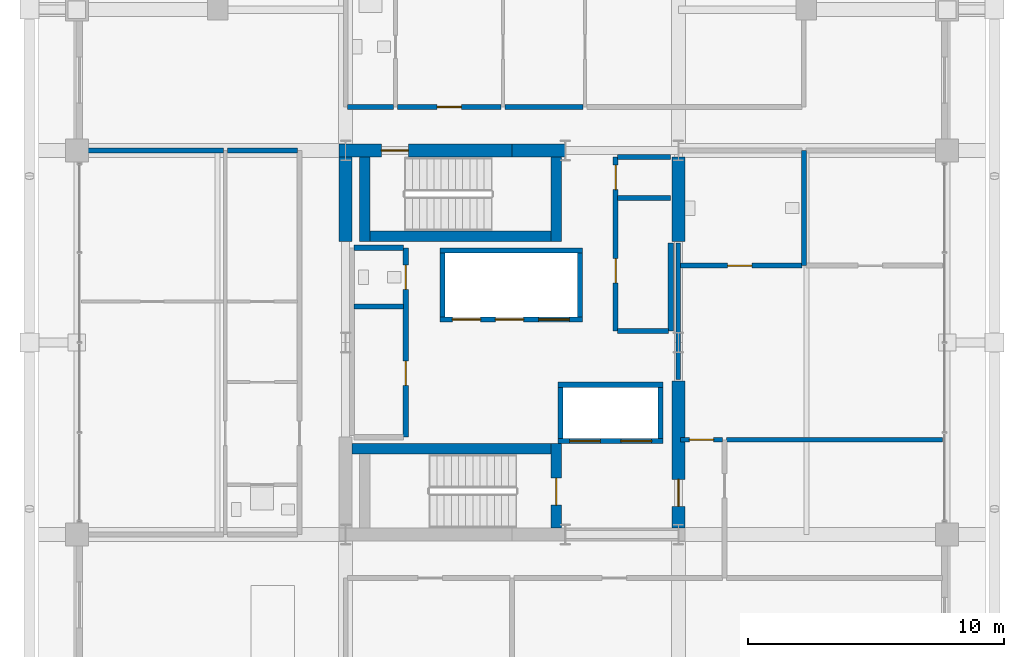
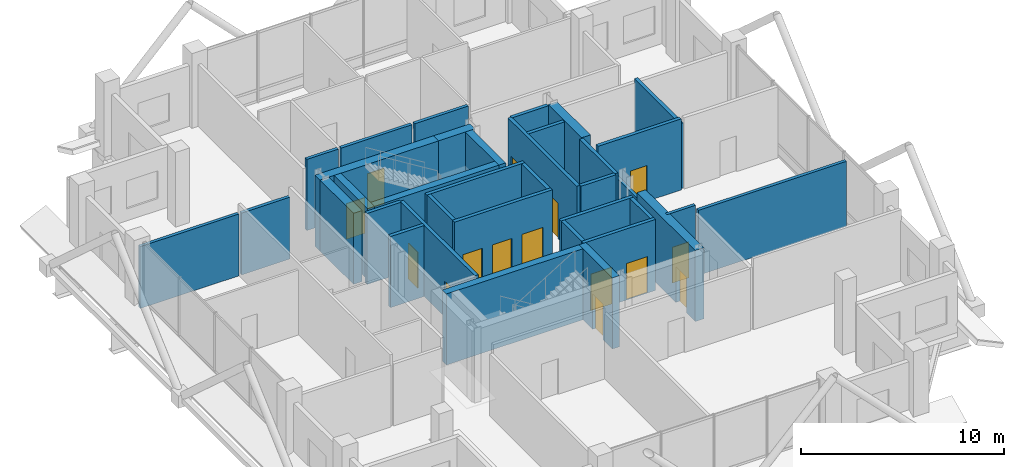
# One storey, part 21 of 27: 36 walls, 15 doors, 15 openings.
"""IFC4 building model written with IfcOpenShell, lengths in metres."""

import ifcopenshell
import ifcopenshell.guid

model = None  # the IFC model being written
_history = None  # IfcOwnerHistory: only IFC2X3 demands one
_inside = {}  # id of a spatial element -> (the spatial element, [elements in it])
_under = {}  # id of a project, library or spatial element -> (it, [spatial elements below it])
_declared = {}  # id of a project -> (the project, [libraries it declares])
_typed = {}  # id of a type object -> (the type object, [elements of that type])
_made_of = {}  # id of a material, layer set ... -> (it, [elements and type objects made of it])


def new_model(schema):
    """Start an empty IFC model of exactly this schema.

    Asked for "IFC4X3", IfcOpenShell would pick the latest addendum, in which some entities
    have other attributes; the version numbers below select the first issue.
    IFC2X3 requires an IfcOwnerHistory on every rooted entity: one is made here for all.
    """
    global model, _history
    if schema == "IFC4X3":
        model = ifcopenshell.file(schema_version=(4, 3, 0, 0))
    else:
        model = ifcopenshell.file(schema=schema)
    _inside.clear()
    _under.clear()
    _declared.clear()
    _typed.clear()
    _made_of.clear()
    _history = None
    if model.schema == "IFC2X3":
        org = make("IfcOrganization", Name="unknown")
        user = make(
            "IfcPersonAndOrganization",
            ThePerson=make("IfcPerson", FamilyName="unknown"),
            TheOrganization=org,
        )
        app = make(
            "IfcApplication",
            ApplicationDeveloper=org,
            Version="unknown",
            ApplicationFullName="unknown",
            ApplicationIdentifier="unknown",
        )
        _history = make(
            "IfcOwnerHistory",
            OwningUser=user,
            OwningApplication=app,
            ChangeAction="ADDED",
            CreationDate=0,
        )
    return model


def make(cls, **values):
    """One entity of the class cls with the attributes given. An attribute that is None is left unset."""
    return model.create_entity(
        cls, **{name: value for name, value in values.items() if value is not None}
    )


def rooted(cls, **values):
    """An entity with a GlobalId (a new one), such as an element, a storey or a relation."""
    return make(cls, GlobalId=ifcopenshell.guid.new(), OwnerHistory=_history, **values)


def si_unit(unit_type, name, prefix=None):
    """IfcSIUnit, for example si_unit("LENGTHUNIT", "METRE", prefix="MILLI")."""
    return make("IfcSIUnit", UnitType=unit_type, Prefix=prefix, Name=name)


def assignment(units):
    """IfcUnitAssignment: the units of a project."""
    return None if units is None else make("IfcUnitAssignment", Units=units)


def point(xyz):
    """IfcCartesianPoint."""
    return None if xyz is None else make("IfcCartesianPoint", Coordinates=xyz)


def direction(xyz):
    """IfcDirection."""
    return None if xyz is None else make("IfcDirection", DirectionRatios=xyz)


def frame(location, z_axis=None, x_axis=None):
    """IfcAxis2Placement3D, a coordinate frame: its origin and axes. An axis left out is left unset."""
    return make(
        "IfcAxis2Placement3D",
        Location=point(location),
        Axis=direction(z_axis),
        RefDirection=direction(x_axis),
    )


def frame_2d(location, x_axis=None):
    """IfcAxis2Placement2D, a coordinate frame in the plane: its origin and x axis."""
    return make(
        "IfcAxis2Placement2D", Location=point(location), RefDirection=direction(x_axis)
    )


def origin():
    """The frame at (0, 0, 0) with its axes left unset."""
    return frame((0.0, 0.0, 0.0))


def place(relative_to, where):
    """IfcLocalPlacement: puts the frame where relative to a parent placement (None: the world)."""
    return make(
        "IfcLocalPlacement", PlacementRelTo=relative_to, RelativePlacement=where
    )


def context(
    kind, dimensions, precision=None, world=None, true_north=None, identifier=None
):
    """IfcGeometricRepresentationContext, for example the 3D "Model" context."""
    return make(
        "IfcGeometricRepresentationContext",
        ContextIdentifier=identifier,
        ContextType=kind,
        CoordinateSpaceDimension=dimensions,
        Precision=precision,
        WorldCoordinateSystem=world,
        TrueNorth=true_north,
    )


def subcontext(parent, identifier, kind, view, scale=None):
    """IfcGeometricRepresentationSubContext, for example "Body" below "Model"."""
    return make(
        "IfcGeometricRepresentationSubContext",
        ContextIdentifier=identifier,
        ContextType=kind,
        ParentContext=parent,
        TargetScale=scale,
        TargetView=view,
    )


def project(units=None, contexts=None):
    """IfcProject with its units and contexts."""
    return rooted(
        "IfcProject",
        Name="project",
        RepresentationContexts=contexts,
        UnitsInContext=assignment(units),
    )


def spatial(cls, under=None, at=None, **own):
    """A site, building, storey or space (cls), placed at a placement, below another one or the project."""
    s = rooted(cls, ObjectPlacement=at, **own)
    if under is not None:
        _under.setdefault(under.id(), (under, []))[1].append(s)
    return s


def profile(cls, at=None, kind="AREA", **sizes):
    """A parametric profile (cls). Its sizes go by their IFC names, for example OverallWidth=200.0."""
    return make(cls, ProfileType=kind, Position=at, **sizes)


def rectangle(**sizes):
    """IfcRectangleProfileDef."""
    return profile("IfcRectangleProfileDef", **sizes)


def extrude(swept, where, along, depth):
    """IfcExtrudedAreaSolid: the profile swept, set in the frame where, extruded along a direction by depth."""
    return make(
        "IfcExtrudedAreaSolid",
        SweptArea=swept,
        Position=where,
        ExtrudedDirection=direction(along),
        Depth=depth,
    )


def shape(context_of_items, identifier, shape_type, items):
    """IfcShapeRepresentation: the items that make up one representation, for example the "Body"."""
    return make(
        "IfcShapeRepresentation",
        ContextOfItems=context_of_items,
        RepresentationIdentifier=identifier,
        RepresentationType=shape_type,
        Items=items,
    )


def material(Name=None, Category=None):
    """IfcMaterial."""
    return make("IfcMaterial", Name=Name, Category=Category)


def layer(
    of_material, thickness, ventilated=None, Name=None, Category=None, Priority=None
):
    """IfcMaterialLayer: one layer of a wall or slab, of a material (None: an air gap)."""
    return make(
        "IfcMaterialLayer",
        Material=of_material,
        LayerThickness=thickness,
        IsVentilated=ventilated,
        Name=Name,
        Category=Category,
        Priority=Priority,
    )


def layer_set(layers, Name=None):
    """IfcMaterialLayerSet."""
    return make("IfcMaterialLayerSet", MaterialLayers=layers, LayerSetName=Name)


def made_of(thing, what):
    """Note that an element or type object is made of a material, layer set ...; save() writes the relation."""
    if what is not None:
        _made_of.setdefault(what.id(), (what, []))[1].append(thing)
    return thing


def type_object(cls, material=None, **own):
    """A type object (cls), such as IfcWallType, which elements share."""
    return made_of(rooted(cls, **own), material)


def element(
    cls,
    number,
    at=None,
    inside=None,
    cuts=None,
    type_object=None,
    material=None,
    context=None,
    identifier="Body",
    shape_type=None,
    held_by="IfcProductDefinitionShape",
    body=None,
    shapes=None,
    **own,
):
    """One element of the class cls, such as IfcWall. Its Tag is "e" and its number.

    at: its placement. inside: the storey or other place that contains it. cuts: it is an
    opening in that element (IfcRelVoidsElement). A single representation is given by context,
    identifier, shape_type and body (its items); several are given by shapes. held_by: the class
    of the entity that holds the representations. save() writes the other relations.
    """
    e = rooted(cls, Tag="e%d" % number, ObjectPlacement=at, **own)
    if body is not None:
        shapes = [shape(context, identifier, shape_type, body)]
    if shapes is not None:
        e.Representation = make(held_by, Representations=shapes)
    if inside is not None:
        _inside.setdefault(inside.id(), (inside, []))[1].append(e)
    if cuts is not None:
        rooted(
            "IfcRelVoidsElement", RelatingBuildingElement=cuts, RelatedOpeningElement=e
        )
    if type_object is not None:
        _typed.setdefault(type_object.id(), (type_object, []))[1].append(e)
    return made_of(e, material)


def fill(opening, filler):
    """IfcRelFillsElement: the door or window that sits in an opening."""
    return rooted(
        "IfcRelFillsElement",
        RelatingOpeningElement=opening,
        RelatedBuildingElement=filler,
    )


def aggregate(whole, parts):
    """IfcRelAggregates: a whole, such as a stair, and the parts it consists of."""
    return rooted("IfcRelAggregates", RelatingObject=whole, RelatedObjects=parts)


def save(model, path):
    """Write the relations noted so far, then the file.

    IfcRelAggregates (storeys below a building ...), IfcRelContainedInSpatialStructure (elements
    in a storey), IfcRelDefinesByType, IfcRelAssociatesMaterial and IfcRelDeclares: one each for
    every whole, place, type object, material and project.
    """
    for whole, parts in _under.values():
        aggregate(whole, parts)
    for where, things in _inside.values():
        rooted(
            "IfcRelContainedInSpatialStructure",
            RelatedElements=things,
            RelatingStructure=where,
        )
    for kind, things in _typed.values():
        rooted("IfcRelDefinesByType", RelatedObjects=things, RelatingType=kind)
    for what, things in _made_of.values():
        rooted("IfcRelAssociatesMaterial", RelatedObjects=things, RelatingMaterial=what)
    for by, libraries in _declared.values():
        rooted("IfcRelDeclares", RelatingContext=by, RelatedDefinitions=libraries)
    model.write(path)


model = new_model("IFC4")

# Units and contexts
model_context = context("Model", 3, precision=1e-05, world=origin(), true_north=direction((0.0, 1.0)))
body_context = subcontext(model_context, "Body", "Model", "MODEL_VIEW")
ifc_project = project(units=[si_unit("LENGTHUNIT", "METRE"), si_unit("AREAUNIT", "SQUARE_METRE"), si_unit("VOLUMEUNIT", "CUBIC_METRE"), si_unit("PLANEANGLEUNIT", "RADIAN"), si_unit("MASSUNIT", "GRAM", prefix="KILO")], contexts=[model_context])

# Site, building, storey
site_placement = place(None, origin())
site = spatial("IfcSite", under=ifc_project, at=site_placement, CompositionType="ELEMENT")
building_placement = place(site_placement, origin())
building = spatial("IfcBuilding", under=site, at=building_placement, Name="Barlavira Tower and Art Museum", CompositionType="ELEMENT")
storey_placement = place(building_placement, frame((0.0, 0.0, 217.800048828125)))
storey = spatial("IfcBuildingStorey", under=building, at=storey_placement, Name="L56", CompositionType="ELEMENT", Elevation=217.800048828125)

# Wall, opening, door
ifc_material_1 = material(Name="Concrete C60", Category="concrete")
ifc_layer_1 = layer(ifc_material_1, 0.5, Name="Concrete C60")
ifc_layer_set_1 = layer_set([ifc_layer_1], Name="Concrete C60")
wall_type_1 = type_object("IfcWallType", Name="Core Structural Shear Wall 500 Concrete C60", PredefinedType="SHEAR", material=ifc_layer_set_1)
wall_1_placement = place(storey_placement, frame((-6.75, 7.5, 0.0), z_axis=(0.0, 0.0, 1.0), x_axis=(1.0, 0.0, 0.0)))
wall_1 = element("IfcWall", 1, at=wall_1_placement, inside=storey, type_object=wall_type_1, Name="L56 Core Shear Wall CS-NW", PredefinedType="SHEAR", context=body_context, shape_type="SweptSolid", body=[
    extrude(rectangle(XDim=6.75, YDim=0.5, at=frame_2d((3.375, 0.0))), origin(), (0.0, 0.0, 1.0), 4.280029296875),
])
opening_1_placement = place(wall_1_placement, frame((1.64990234375, 0.0, 0.0)))
opening_1 = element("IfcOpeningElement", 2, at=opening_1_placement, cuts=wall_1, Name="Opening FD-90", PredefinedType="OPENING", context=body_context, shape_type="SweptSolid", body=[
    extrude(rectangle(XDim=1.050048828125, YDim=2.14990234375, at=frame_2d((0.52490234375, 1.074951171875))), frame((0.0, 0.260009765625, 0.0), z_axis=(0.0, -1.0, 0.0), x_axis=(1.0, 0.0, 0.0)), (0.0, 0.0, 1.0), 0.52001953125),
])
ifc_material_2 = material(Name="Brushed stainless steel", Category="steel")
door_type_1 = type_object("IfcDoorType", Name="Stair and Refuge Fire Door 1050x2150 FD90S", OperationType="NOTDEFINED", PredefinedType="DOOR", material=ifc_material_2)
door_1_placement = place(opening_1_placement, origin())
door_1 = element("IfcDoor", 3, at=door_1_placement, inside=storey, type_object=door_type_1, Name="L56 Stair ST-T2 Fire Door", OperationType="SINGLE_SWING_LEFT", OverallHeight=2.14990234375, OverallWidth=1.050048828125, PredefinedType="DOOR", context=body_context, shape_type="SweptSolid", body=[
    extrude(rectangle(XDim=1.050048828125, YDim=2.14990234375, at=frame_2d((0.52490234375, 1.074951171875))), frame((0.0, 0.02490234375, 0.0), z_axis=(0.0, -1.0, 0.0), x_axis=(1.0, 0.0, 0.0)), (0.0, 0.0, 1.0), 0.050048828125),
])
fill(opening_1, door_1)

# Walls
wall_2_placement = place(storey_placement, frame((0.0, 7.5, 0.0), z_axis=(0.0, 0.0, 1.0), x_axis=(1.0, 0.0, 0.0)))
element("IfcWall", 4, at=wall_2_placement, inside=storey, type_object=wall_type_1, Name="L56 Core Shear Wall CS-EN", PredefinedType="SHEAR", context=body_context, shape_type="SweptSolid", body=[
    extrude(rectangle(XDim=2.080078125, YDim=0.5, at=frame_2d((1.0400390625, 0.0))), origin(), (0.0, 0.0, 1.0), 4.280029296875),
])
wall_3_placement = place(storey_placement, frame((-6.5, 3.949951171875, 0.0), z_axis=(0.0, 0.0, 1.0), x_axis=(0.0, 1.0, 0.0)))
element("IfcWall", 5, at=wall_3_placement, inside=storey, type_object=wall_type_1, Name="L56 Core Shear Wall CS-W2", PredefinedType="SHEAR", context=body_context, shape_type="SweptSolid", body=[
    extrude(rectangle(XDim=3.300048828125, YDim=0.5, at=frame_2d((1.64990234375, 0.0))), origin(), (0.0, 0.0, 1.0), 4.280029296875),
])

# Wall, opening, door
wall_4_placement = place(storey_placement, frame((6.5, -7.25, 0.0), z_axis=(0.0, 0.0, 1.0), x_axis=(0.0, 1.0, 0.0)))
wall_4 = element("IfcWall", 6, at=wall_4_placement, inside=storey, type_object=wall_type_1, Name="L56 Core Shear Wall CS-E1", PredefinedType="SHEAR", context=body_context, shape_type="SweptSolid", body=[
    extrude(rectangle(XDim=5.75, YDim=0.5, at=frame_2d((2.875, 0.0))), origin(), (0.0, 0.0, 1.0), 4.280029296875),
])
opening_2_placement = place(wall_4_placement, frame((0.85009765625, 0.0, 0.0)))
opening_2 = element("IfcOpeningElement", 7, at=opening_2_placement, cuts=wall_4, Name="Opening FD-90", PredefinedType="OPENING", context=body_context, shape_type="SweptSolid", body=[
    extrude(rectangle(XDim=1.050048828125, YDim=2.14990234375, at=frame_2d((0.52490234375, 1.074951171875))), frame((0.0, 0.260009765625, 0.0), z_axis=(0.0, -1.0, 0.0), x_axis=(1.0, 0.0, 0.0)), (0.0, 0.0, 1.0), 0.52001953125),
])
door_2_placement = place(opening_2_placement, origin())
door_2 = element("IfcDoor", 8, at=door_2_placement, inside=storey, type_object=door_type_1, Name="L56 Firefighting Lobby Entry Fire Door", OperationType="SINGLE_SWING_LEFT", OverallHeight=2.14990234375, OverallWidth=1.050048828125, PredefinedType="DOOR", context=body_context, shape_type="SweptSolid", body=[
    extrude(rectangle(XDim=1.050048828125, YDim=2.14990234375, at=frame_2d((0.52490234375, 1.074951171875))), frame((0.0, 0.02490234375, 0.0), z_axis=(0.0, -1.0, 0.0), x_axis=(1.0, 0.0, 0.0)), (0.0, 0.0, 1.0), 0.050048828125),
])
fill(opening_2, door_2)

# Wall
wall_5_placement = place(storey_placement, frame((6.5, 3.949951171875, 0.0), z_axis=(0.0, 0.0, 1.0), x_axis=(0.0, 1.0, 0.0)))
element("IfcWall", 9, at=wall_5_placement, inside=storey, type_object=wall_type_1, Name="L56 Core Shear Wall CS-E2", PredefinedType="SHEAR", context=body_context, shape_type="SweptSolid", body=[
    extrude(rectangle(XDim=3.300048828125, YDim=0.5, at=frame_2d((1.64990234375, 0.0))), origin(), (0.0, 0.0, 1.0), 4.280029296875),
])

# Wall, openings, doors
ifc_material_3 = material(Name="Autoclaved aerated concrete masonry", Category="masonry")
ifc_layer_2 = layer(ifc_material_3, 0.199951171875, Name="Autoclaved aerated concrete masonry")
ifc_layer_set_2 = layer_set([ifc_layer_2], Name="Autoclaved aerated concrete masonry")
wall_type_2 = type_object("IfcWallType", Name="Fire Compartment and Shaft Wall 200", PredefinedType="SOLIDWALL", material=ifc_layer_set_2)
wall_6_placement = place(storey_placement, frame((-2.820068359375, 0.89990234375, 0.0), z_axis=(0.0, 0.0, 1.0), x_axis=(1.0, 0.0, 0.0)))
wall_6 = element("IfcWall", 10, at=wall_6_placement, inside=storey, type_object=wall_type_2, Name="L56 High-Rise & Service Lift Front Wall", PredefinedType="SOLIDWALL", context=body_context, shape_type="SweptSolid", body=[
    extrude(rectangle(XDim=5.580078125, YDim=0.199951171875, at=frame_2d((2.7900390625, 0.0))), origin(), (0.0, 0.0, 1.0), 4.280029296875),
])
opening_3_placement = place(wall_6_placement, frame((0.489990234375, 0.0, 0.0)))
opening_3 = element("IfcOpeningElement", 11, at=opening_3_placement, cuts=wall_6, Name="Opening LD-P", PredefinedType="OPENING", context=body_context, shape_type="SweptSolid", body=[
    extrude(rectangle(XDim=1.10009765625, YDim=2.14990234375, at=frame_2d((0.550048828125, 1.074951171875))), frame((0.0, 0.10986328125, 0.0), z_axis=(0.0, -1.0, 0.0), x_axis=(1.0, 0.0, 0.0)), (0.0, 0.0, 1.0), 0.219970703125),
])
opening_4_placement = place(wall_6_placement, frame((2.169921875, 0.0, 0.0)))
opening_4 = element("IfcOpeningElement", 12, at=opening_4_placement, cuts=wall_6, Name="Opening LD-P", PredefinedType="OPENING", context=body_context, shape_type="SweptSolid", body=[
    extrude(rectangle(XDim=1.10009765625, YDim=2.14990234375, at=frame_2d((0.550048828125, 1.074951171875))), frame((0.0, 0.10986328125, 0.0), z_axis=(0.0, -1.0, 0.0), x_axis=(1.0, 0.0, 0.0)), (0.0, 0.0, 1.0), 0.219970703125),
])
opening_5_placement = place(wall_6_placement, frame((3.860107421875, 0.0, 0.0)))
opening_5 = element("IfcOpeningElement", 13, at=opening_5_placement, cuts=wall_6, Name="Opening LD-F", PredefinedType="OPENING", context=body_context, shape_type="SweptSolid", body=[
    extrude(rectangle(XDim=1.199951171875, YDim=2.199951171875, at=frame_2d((0.60009765625, 1.10009765625))), frame((0.0, 0.10986328125, 0.0), z_axis=(0.0, -1.0, 0.0), x_axis=(1.0, 0.0, 0.0)), (0.0, 0.0, 1.0), 0.219970703125),
])
door_type_2 = type_object("IfcDoorType", Name="Firefighting and Service Lift Sliding Door 1200x2200 FD120", OperationType="NOTDEFINED", PredefinedType="DOOR", material=ifc_material_2)
door_3_placement = place(opening_5_placement, origin())
door_3 = element("IfcDoor", 14, at=door_3_placement, inside=storey, type_object=door_type_2, Name="L56 Stretcher Service Lift SL1 Sliding Door", OperationType="DOUBLE_DOOR_SLIDING", OverallHeight=2.199951171875, OverallWidth=1.199951171875, PredefinedType="DOOR", context=body_context, shape_type="SweptSolid", body=[
    extrude(rectangle(XDim=1.199951171875, YDim=2.199951171875, at=frame_2d((0.60009765625, 1.10009765625))), frame((0.0, 0.02490234375, 0.0), z_axis=(0.0, -1.0, 0.0), x_axis=(1.0, 0.0, 0.0)), (0.0, 0.0, 1.0), 0.050048828125),
])
fill(opening_5, door_3)
door_type_3 = type_object("IfcDoorType", Name="Passenger Lift Sliding Landing Door 1100x2150 FD60", OperationType="NOTDEFINED", PredefinedType="DOOR", material=ifc_material_2)
door_4_placement = place(opening_3_placement, origin())
door_4 = element("IfcDoor", 15, at=door_4_placement, inside=storey, type_object=door_type_3, Name="L56 Lift PH1 Sliding Landing Door", OperationType="DOUBLE_DOOR_SLIDING", OverallHeight=2.14990234375, OverallWidth=1.10009765625, PredefinedType="DOOR", context=body_context, shape_type="SweptSolid", body=[
    extrude(rectangle(XDim=1.10009765625, YDim=2.14990234375, at=frame_2d((0.550048828125, 1.074951171875))), frame((0.0, 0.02490234375, 0.0), z_axis=(0.0, -1.0, 0.0), x_axis=(1.0, 0.0, 0.0)), (0.0, 0.0, 1.0), 0.050048828125),
])
fill(opening_3, door_4)
door_5_placement = place(opening_4_placement, origin())
door_5 = element("IfcDoor", 16, at=door_5_placement, inside=storey, type_object=door_type_3, Name="L56 Lift PH2 Sliding Landing Door", OperationType="DOUBLE_DOOR_SLIDING", OverallHeight=2.14990234375, OverallWidth=1.10009765625, PredefinedType="DOOR", context=body_context, shape_type="SweptSolid", body=[
    extrude(rectangle(XDim=1.10009765625, YDim=2.14990234375, at=frame_2d((0.550048828125, 1.074951171875))), frame((0.0, 0.02490234375, 0.0), z_axis=(0.0, -1.0, 0.0), x_axis=(1.0, 0.0, 0.0)), (0.0, 0.0, 1.0), 0.050048828125),
])
fill(opening_4, door_5)

# Walls
wall_7_placement = place(storey_placement, frame((-2.820068359375, 3.60009765625, 0.0), z_axis=(0.0, 0.0, 1.0), x_axis=(1.0, 0.0, 0.0)))
element("IfcWall", 17, at=wall_7_placement, inside=storey, type_object=wall_type_2, Name="L56 High-Rise & Service Lift Back Wall", PredefinedType="SOLIDWALL", context=body_context, shape_type="SweptSolid", body=[
    extrude(rectangle(XDim=5.580078125, YDim=0.199951171875, at=frame_2d((2.7900390625, 0.0))), origin(), (0.0, 0.0, 1.0), 4.280029296875),
])
for number, where, z_axis, x_axis, name in (
    (18, (-2.719970703125, 1.0, 0.0), (0.0, 0.0, 1.0), (0.0, 1.0, 0.0), "L56 High-Rise & Service Lift West Wall"),
    (19, (2.659912109375, 1.0, 0.0), (0.0, 0.0, 1.0), (0.0, 1.0, 0.0), "L56 High-Rise & Service Lift East Wall"),
):
    element("IfcWall", number, at=place(storey_placement, frame(where, z_axis=z_axis, x_axis=x_axis)), inside=storey, type_object=wall_type_2, Name=name, PredefinedType="SOLIDWALL", context=body_context, shape_type="SweptSolid", body=[
        extrude(rectangle(XDim=2.5, YDim=0.199951171875, at=frame_2d((1.25, 0.0))), origin(), (0.0, 0.0, 1.0), 4.280029296875),
    ])

# Wall, openings, doors
wall_8_placement = place(storey_placement, frame((1.800048828125, -3.85009765625, 0.0), z_axis=(0.0, 0.0, 1.0), x_axis=(1.0, 0.0, 0.0)))
wall_8 = element("IfcWall", 20, at=wall_8_placement, inside=storey, type_object=wall_type_2, Name="L56 Firefighting Lift Front Shaft Wall", PredefinedType="SOLIDWALL", context=body_context, shape_type="SweptSolid", body=[
    extrude(rectangle(XDim=4.099853515625, YDim=0.199951171875, at=frame_2d((2.0498046875, 0.0))), origin(), (0.0, 0.0, 1.0), 4.280029296875),
])
opening_6_placement = place(wall_8_placement, frame((0.449951171875, 0.0, 0.0)))
opening_6 = element("IfcOpeningElement", 21, at=opening_6_placement, cuts=wall_8, Name="Opening LD-F", PredefinedType="OPENING", context=body_context, shape_type="SweptSolid", body=[
    extrude(rectangle(XDim=1.199951171875, YDim=2.199951171875, at=frame_2d((0.60009765625, 1.10009765625))), frame((0.0, 0.10986328125, 0.0), z_axis=(0.0, -1.0, 0.0), x_axis=(1.0, 0.0, 0.0)), (0.0, 0.0, 1.0), 0.219970703125),
])
opening_7_placement = place(wall_8_placement, frame((2.449951171875, 0.0, 0.0)))
opening_7 = element("IfcOpeningElement", 22, at=opening_7_placement, cuts=wall_8, Name="Opening LD-F", PredefinedType="OPENING", context=body_context, shape_type="SweptSolid", body=[
    extrude(rectangle(XDim=1.199951171875, YDim=2.199951171875, at=frame_2d((0.60009765625, 1.10009765625))), frame((0.0, 0.10986328125, 0.0), z_axis=(0.0, -1.0, 0.0), x_axis=(1.0, 0.0, 0.0)), (0.0, 0.0, 1.0), 0.219970703125),
])
door_6_placement = place(opening_6_placement, origin())
door_6 = element("IfcDoor", 23, at=door_6_placement, inside=storey, type_object=door_type_2, Name="L56 Firefighting Lift FF1 Sliding Door", OperationType="DOUBLE_DOOR_SLIDING", OverallHeight=2.199951171875, OverallWidth=1.199951171875, PredefinedType="DOOR", context=body_context, shape_type="SweptSolid", body=[
    extrude(rectangle(XDim=1.199951171875, YDim=2.199951171875, at=frame_2d((0.60009765625, 1.10009765625))), frame((0.0, 0.02490234375, 0.0), z_axis=(0.0, -1.0, 0.0), x_axis=(1.0, 0.0, 0.0)), (0.0, 0.0, 1.0), 0.050048828125),
])
fill(opening_6, door_6)
door_7_placement = place(opening_7_placement, origin())
door_7 = element("IfcDoor", 24, at=door_7_placement, inside=storey, type_object=door_type_2, Name="L56 Firefighting Lift FF2 Sliding Door", OperationType="DOUBLE_DOOR_SLIDING", OverallHeight=2.199951171875, OverallWidth=1.199951171875, PredefinedType="DOOR", context=body_context, shape_type="SweptSolid", body=[
    extrude(rectangle(XDim=1.199951171875, YDim=2.199951171875, at=frame_2d((0.60009765625, 1.10009765625))), frame((0.0, 0.02490234375, 0.0), z_axis=(0.0, -1.0, 0.0), x_axis=(1.0, 0.0, 0.0)), (0.0, 0.0, 1.0), 0.050048828125),
])
fill(opening_7, door_7)

# Walls
wall_9_placement = place(storey_placement, frame((1.800048828125, -1.64990234375, 0.0), z_axis=(0.0, 0.0, 1.0), x_axis=(1.0, 0.0, 0.0)))
element("IfcWall", 25, at=wall_9_placement, inside=storey, type_object=wall_type_2, Name="L56 Firefighting Lift Back Shaft Wall", PredefinedType="SOLIDWALL", context=body_context, shape_type="SweptSolid", body=[
    extrude(rectangle(XDim=4.099853515625, YDim=0.199951171875, at=frame_2d((2.0498046875, 0.0))), origin(), (0.0, 0.0, 1.0), 4.280029296875),
])
for number, where, z_axis, x_axis, name in (
    (26, (1.89990234375, -3.75, 0.0), (0.0, 0.0, 1.0), (0.0, 1.0, 0.0), "L56 Firefighting Lift West Shaft Wall"),
    (27, (5.800048828125, -3.75, 0.0), (0.0, 0.0, 1.0), (0.0, 1.0, 0.0), "L56 Firefighting Lift East Shaft Wall"),
):
    element("IfcWall", number, at=place(storey_placement, frame(where, z_axis=z_axis, x_axis=x_axis)), inside=storey, type_object=wall_type_2, Name=name, PredefinedType="SOLIDWALL", context=body_context, shape_type="SweptSolid", body=[
        extrude(rectangle(XDim=2.0, YDim=0.199951171875, at=frame_2d((1.0, 0.0))), origin(), (0.0, 0.0, 1.0), 4.280029296875),
    ])

# Wall, openings, doors
wall_10_placement = place(storey_placement, frame((-4.14990234375, -3.699951171875, 0.0), z_axis=(0.0, 0.0, 1.0), x_axis=(0.0, 1.0, 0.0)))
wall_10 = element("IfcWall", 28, at=wall_10_placement, inside=storey, type_object=wall_type_2, Name="L56 Partition Wall 7", PredefinedType="SOLIDWALL", context=body_context, shape_type="SweptSolid", body=[
    extrude(rectangle(XDim=7.39990234375, YDim=0.199951171875, at=frame_2d((3.699951171875, 0.0))), origin(), (0.0, 0.0, 1.0), 4.280029296875),
])
opening_8_placement = place(wall_10_placement, frame((2.02490234375, 0.0, 0.0)))
opening_8 = element("IfcOpeningElement", 29, at=opening_8_placement, cuts=wall_10, Name="Opening FD-60", PredefinedType="OPENING", context=body_context, shape_type="SweptSolid", body=[
    extrude(rectangle(XDim=0.949951171875, YDim=2.14990234375, at=frame_2d((0.47509765625, 1.074951171875))), frame((0.0, 0.10986328125, 0.0), z_axis=(0.0, -1.0, 0.0), x_axis=(1.0, 0.0, 0.0)), (0.0, 0.0, 1.0), 0.219970703125),
])
opening_9_placement = place(wall_10_placement, frame((5.77490234375, 0.0, 0.0)))
opening_9 = element("IfcOpeningElement", 30, at=opening_9_placement, cuts=wall_10, Name="Opening FD-60", PredefinedType="OPENING", context=body_context, shape_type="SweptSolid", body=[
    extrude(rectangle(XDim=0.949951171875, YDim=2.14990234375, at=frame_2d((0.47509765625, 1.074951171875))), frame((0.0, 0.10986328125, 0.0), z_axis=(0.0, -1.0, 0.0), x_axis=(1.0, 0.0, 0.0)), (0.0, 0.0, 1.0), 0.219970703125),
])
door_type_4 = type_object("IfcDoorType", Name="Apartment Entrance and Riser Fire Door 950x2150 FD60S", OperationType="NOTDEFINED", PredefinedType="DOOR", material=ifc_material_2)
door_8_placement = place(opening_8_placement, origin())
door_8 = element("IfcDoor", 31, at=door_8_placement, inside=storey, type_object=door_type_4, Name="Reclaimed Core Resident Parcel Room Door", OperationType="SINGLE_SWING_LEFT", OverallHeight=2.14990234375, OverallWidth=0.949951171875, PredefinedType="DOOR", context=body_context, shape_type="SweptSolid", body=[
    extrude(rectangle(XDim=0.949951171875, YDim=2.14990234375, at=frame_2d((0.47509765625, 1.074951171875))), frame((0.0, 0.02490234375, 0.0), z_axis=(0.0, -1.0, 0.0), x_axis=(1.0, 0.0, 0.0)), (0.0, 0.0, 1.0), 0.050048828125),
])
fill(opening_8, door_8)
door_9_placement = place(opening_9_placement, origin())
door_9 = element("IfcDoor", 32, at=door_9_placement, inside=storey, type_object=door_type_4, Name="Reclaimed Core Accessible WC Door", OperationType="SINGLE_SWING_RIGHT", OverallHeight=2.14990234375, OverallWidth=0.949951171875, PredefinedType="DOOR", context=body_context, shape_type="SweptSolid", body=[
    extrude(rectangle(XDim=0.949951171875, YDim=2.14990234375, at=frame_2d((0.47509765625, 1.074951171875))), frame((0.0, 0.02490234375, 0.0), z_axis=(0.0, -1.0, 0.0), x_axis=(1.0, 0.0, 0.0)), (0.0, 0.0, 1.0), 0.050048828125),
])
fill(opening_9, door_9)

wall_11_placement = place(storey_placement, frame((4.050048828125, 0.449951171875, 0.0), z_axis=(0.0, 0.0, 1.0), x_axis=(0.0, 1.0, 0.0)))
wall_11 = element("IfcWall", 33, at=wall_11_placement, inside=storey, type_object=wall_type_2, Name="L56 Partition Wall 11", PredefinedType="SOLIDWALL", context=body_context, shape_type="SweptSolid", body=[
    extrude(rectangle(XDim=6.800048828125, YDim=0.199951171875, at=frame_2d((3.39990234375, 0.0))), origin(), (0.0, 0.0, 1.0), 4.280029296875),
])
opening_10_placement = place(wall_11_placement, frame((1.875, 0.0, 0.0)))
opening_10 = element("IfcOpeningElement", 34, at=opening_10_placement, cuts=wall_11, Name="Opening FD-60", PredefinedType="OPENING", context=body_context, shape_type="SweptSolid", body=[
    extrude(rectangle(XDim=0.949951171875, YDim=2.14990234375, at=frame_2d((0.47509765625, 1.074951171875))), frame((0.0, 0.10986328125, 0.0), z_axis=(0.0, -1.0, 0.0), x_axis=(1.0, 0.0, 0.0)), (0.0, 0.0, 1.0), 0.219970703125),
])
opening_11_placement = place(wall_11_placement, frame((5.52490234375, 0.0, 0.0)))
opening_11 = element("IfcOpeningElement", 35, at=opening_11_placement, cuts=wall_11, Name="Opening FD-60", PredefinedType="OPENING", context=body_context, shape_type="SweptSolid", body=[
    extrude(rectangle(XDim=0.949951171875, YDim=2.14990234375, at=frame_2d((0.47509765625, 1.074951171875))), frame((0.0, 0.10986328125, 0.0), z_axis=(0.0, -1.0, 0.0), x_axis=(1.0, 0.0, 0.0)), (0.0, 0.0, 1.0), 0.219970703125),
])
door_10_placement = place(opening_10_placement, origin())
door_10 = element("IfcDoor", 36, at=door_10_placement, inside=storey, type_object=door_type_4, Name="Reclaimed Upper Core Study Salon Door", OperationType="SINGLE_SWING_LEFT", OverallHeight=2.14990234375, OverallWidth=0.949951171875, PredefinedType="DOOR", context=body_context, shape_type="SweptSolid", body=[
    extrude(rectangle(XDim=0.949951171875, YDim=2.14990234375, at=frame_2d((0.47509765625, 1.074951171875))), frame((0.0, 0.02490234375, 0.0), z_axis=(0.0, -1.0, 0.0), x_axis=(1.0, 0.0, 0.0)), (0.0, 0.0, 1.0), 0.050048828125),
])
fill(opening_10, door_10)
door_11_placement = place(opening_11_placement, origin())
door_11 = element("IfcDoor", 37, at=door_11_placement, inside=storey, type_object=door_type_4, Name="Telecom and BMS Distribution Room Door", OperationType="SINGLE_SWING_RIGHT", OverallHeight=2.14990234375, OverallWidth=0.949951171875, PredefinedType="DOOR", context=body_context, shape_type="SweptSolid", body=[
    extrude(rectangle(XDim=0.949951171875, YDim=2.14990234375, at=frame_2d((0.47509765625, 1.074951171875))), frame((0.0, 0.02490234375, 0.0), z_axis=(0.0, -1.0, 0.0), x_axis=(1.0, 0.0, 0.0)), (0.0, 0.0, 1.0), 0.050048828125),
])
fill(opening_11, door_11)

# Walls
wall_12_placement = place(storey_placement, frame((6.199951171875, 0.449951171875, 0.0), z_axis=(0.0, 0.0, 1.0), x_axis=(0.0, 1.0, 0.0)))
element("IfcWall", 38, at=wall_12_placement, inside=storey, type_object=wall_type_2, Name="L56 Partition Wall 13", PredefinedType="SOLIDWALL", context=body_context, shape_type="SweptSolid", body=[
    extrude(rectangle(XDim=3.43994140625, YDim=0.199951171875, at=frame_2d((1.719970703125, 0.0))), origin(), (0.0, 0.0, 1.0), 4.280029296875),
])
wall_13_placement = place(storey_placement, frame((11.39990234375, 3.0, 0.0), z_axis=(0.0, 0.0, 1.0), x_axis=(0.0, 1.0, 0.0)))
element("IfcWall", 39, at=wall_13_placement, inside=storey, type_object=wall_type_2, Name="L56 Partition Wall 16", PredefinedType="SOLIDWALL", context=body_context, shape_type="SweptSolid", body=[
    extrude(rectangle(XDim=4.5, YDim=0.199951171875, at=frame_2d((2.25, 0.0))), origin(), (0.0, 0.0, 1.0), 3.91796875),
])
wall_14_placement = place(storey_placement, frame((4.1298828125, 0.449951171875, 0.0), z_axis=(0.0, 0.0, 1.0), x_axis=(1.0, 0.0, 0.0)))
element("IfcWall", 40, at=wall_14_placement, inside=storey, type_object=wall_type_2, Name="L56 Partition Wall 28", PredefinedType="SOLIDWALL", context=body_context, shape_type="SweptSolid", body=[
    extrude(rectangle(XDim=1.990234375, YDim=0.199951171875, at=frame_2d((0.9951171875, 0.0))), origin(), (0.0, 0.0, 1.0), 4.280029296875),
])
wall_15_placement = place(storey_placement, frame((-6.169921875, 1.39990234375, 0.0), z_axis=(0.0, 0.0, 1.0), x_axis=(1.0, 0.0, 0.0)))
element("IfcWall", 41, at=wall_15_placement, inside=storey, type_object=wall_type_2, Name="L56 Partition Wall 29", PredefinedType="SOLIDWALL", context=body_context, shape_type="SweptSolid", body=[
    extrude(rectangle(XDim=1.93994140625, YDim=0.199951171875, at=frame_2d((0.969970703125, 0.0))), origin(), (0.0, 0.0, 1.0), 4.280029296875),
])

# Wall, opening, door
wall_16_placement = place(storey_placement, frame((6.580078125, 3.0, 0.0), z_axis=(0.0, 0.0, 1.0), x_axis=(1.0, 0.0, 0.0)))
wall_16 = element("IfcWall", 42, at=wall_16_placement, inside=storey, type_object=wall_type_2, Name="L56 Partition Wall 32", PredefinedType="SOLIDWALL", context=body_context, shape_type="SweptSolid", body=[
    extrude(rectangle(XDim=4.739990234375, YDim=0.199951171875, at=frame_2d((2.3701171875, 0.0))), origin(), (0.0, 0.0, 1.0), 4.280029296875),
])
opening_12_placement = place(wall_16_placement, frame((1.844970703125, 0.0, 0.0)))
opening_12 = element("IfcOpeningElement", 43, at=opening_12_placement, cuts=wall_16, Name="Opening FD-60", PredefinedType="OPENING", context=body_context, shape_type="SweptSolid", body=[
    extrude(rectangle(XDim=0.949951171875, YDim=2.14990234375, at=frame_2d((0.47509765625, 1.074951171875))), frame((0.0, 0.10986328125, 0.0), z_axis=(0.0, -1.0, 0.0), x_axis=(1.0, 0.0, 0.0)), (0.0, 0.0, 1.0), 0.219970703125),
])
door_12_placement = place(opening_12_placement, origin())
door_12 = element("IfcDoor", 44, at=door_12_placement, inside=storey, type_object=door_type_4, Name="Sky Lobby Accessible Restroom Door", OperationType="SINGLE_SWING_LEFT", OverallHeight=2.14990234375, OverallWidth=0.949951171875, PredefinedType="DOOR", context=body_context, shape_type="SweptSolid", body=[
    extrude(rectangle(XDim=0.949951171875, YDim=2.14990234375, at=frame_2d((0.47509765625, 1.074951171875))), frame((0.0, 0.02490234375, 0.0), z_axis=(0.0, -1.0, 0.0), x_axis=(1.0, 0.0, 0.0)), (0.0, 0.0, 1.0), 0.050048828125),
])
fill(opening_12, door_12)

# Walls
wall_17_placement = place(storey_placement, frame((-6.169921875, 3.699951171875, 0.0), z_axis=(0.0, 0.0, 1.0), x_axis=(1.0, 0.0, 0.0)))
element("IfcWall", 45, at=wall_17_placement, inside=storey, type_object=wall_type_2, Name="L56 Partition Wall 34", PredefinedType="SOLIDWALL", context=body_context, shape_type="SweptSolid", body=[
    extrude(rectangle(XDim=1.93994140625, YDim=0.199951171875, at=frame_2d((0.969970703125, 0.0))), origin(), (0.0, 0.0, 1.0), 4.280029296875),
])
for number, where, z_axis, x_axis, name in (
    (46, (4.1298828125, 5.64990234375, 0.0), (0.0, 0.0, 1.0), (1.0, 0.0, 0.0), "L56 Partition Wall 35"),
    (47, (4.1298828125, 7.25, 0.0), (0.0, 0.0, 1.0), (1.0, 0.0, 0.0), "L56 Partition Wall 36"),
):
    element("IfcWall", number, at=place(storey_placement, frame(where, z_axis=z_axis, x_axis=x_axis)), inside=storey, type_object=wall_type_2, Name=name, PredefinedType="SOLIDWALL", context=body_context, shape_type="SweptSolid", body=[
        extrude(rectangle(XDim=2.070068359375, YDim=0.199951171875, at=frame_2d((1.03515625, 0.0))), origin(), (0.0, 0.0, 1.0), 4.280029296875),
    ])
ifc_material_4 = material(Name="Gypsum acoustic stud partition", Category="gypsum")
ifc_layer_3 = layer(ifc_material_4, 0.179931640625, Name="Gypsum acoustic stud partition")
ifc_layer_set_3 = layer_set([ifc_layer_3], Name="Gypsum acoustic stud partition")
wall_type_3 = type_object("IfcWallType", Name="Inter-Tenancy Party Partition Wall 180", PredefinedType="PARTITIONING", material=ifc_layer_set_3)
wall_18_placement = place(storey_placement, frame((6.5, -1.43994140625, 0.0), z_axis=(0.0, 0.0, 1.0), x_axis=(0.0, 1.0, 0.0)))
element("IfcWall", 48, at=wall_18_placement, inside=storey, type_object=wall_type_3, Name="L56 Partition Wall 14", PredefinedType="PARTITIONING", context=body_context, shape_type="SweptSolid", body=[
    extrude(rectangle(XDim=5.329833984375, YDim=0.179931640625, at=frame_2d((2.6650390625, 0.0))), origin(), (0.0, 0.0, 1.0), 3.725830078125),
])

# Wall, opening, door
wall_19_placement = place(storey_placement, frame((6.580078125, -3.800048828125, 0.0), z_axis=(0.0, 0.0, 1.0), x_axis=(1.0, 0.0, 0.0)))
wall_19 = element("IfcWall", 49, at=wall_19_placement, inside=storey, type_object=wall_type_3, Name="L56 Partition Wall 24", PredefinedType="PARTITIONING", context=body_context, shape_type="SweptSolid", body=[
    extrude(rectangle(XDim=1.639892578125, YDim=0.179931640625, at=frame_2d((0.81982421875, 0.0))), origin(), (0.0, 0.0, 1.0), 4.280029296875),
])
opening_13_placement = place(wall_19_placement, frame((0.344970703125, 0.0, 0.0)))
opening_13 = element("IfcOpeningElement", 50, at=opening_13_placement, cuts=wall_19, Name="Opening FD-60", PredefinedType="OPENING", context=body_context, shape_type="SweptSolid", body=[
    extrude(rectangle(XDim=0.949951171875, YDim=2.14990234375, at=frame_2d((0.47509765625, 1.074951171875))), frame((0.0, 0.10009765625, 0.0), z_axis=(0.0, -1.0, 0.0), x_axis=(1.0, 0.0, 0.0)), (0.0, 0.0, 1.0), 0.199951171875),
])
door_13_placement = place(opening_13_placement, origin())
door_13 = element("IfcDoor", 51, at=door_13_placement, inside=storey, type_object=door_type_4, Name="Sky Executive Meeting Suite Door", OperationType="SINGLE_SWING_RIGHT", OverallHeight=2.14990234375, OverallWidth=0.949951171875, PredefinedType="DOOR", context=body_context, shape_type="SweptSolid", body=[
    extrude(rectangle(XDim=0.949951171875, YDim=2.14990234375, at=frame_2d((0.47509765625, 1.074951171875))), frame((0.0, 0.02490234375, 0.0), z_axis=(0.0, -1.0, 0.0), x_axis=(1.0, 0.0, 0.0)), (0.0, 0.0, 1.0), 0.050048828125),
])
fill(opening_13, door_13)

# Walls
wall_20_placement = place(storey_placement, frame((8.3798828125, -3.800048828125, 0.0), z_axis=(0.0, 0.0, 1.0), x_axis=(1.0, 0.0, 0.0)))
element("IfcWall", 52, at=wall_20_placement, inside=storey, type_object=wall_type_3, Name="L56 Partition Wall 25", PredefinedType="PARTITIONING", context=body_context, shape_type="SweptSolid", body=[
    extrude(rectangle(XDim=8.440185546875, YDim=0.179931640625, at=frame_2d((4.22021484375, 0.0))), origin(), (0.0, 0.0, 1.0), 3.91796875),
])
wall_21_placement = place(storey_placement, frame((-16.89990234375, 7.5, 0.0), z_axis=(0.0, 0.0, 1.0), x_axis=(1.0, 0.0, 0.0)))
element("IfcWall", 53, at=wall_21_placement, inside=storey, type_object=wall_type_3, Name="L56 Partition Wall 37", PredefinedType="PARTITIONING", context=body_context, shape_type="SweptSolid", body=[
    extrude(rectangle(XDim=5.619873046875, YDim=0.179931640625, at=frame_2d((2.81005859375, 0.0))), origin(), (0.0, 0.0, 1.0), 3.725830078125),
])
wall_22_placement = place(storey_placement, frame((-11.1201171875, 7.5, 0.0), z_axis=(0.0, 0.0, 1.0), x_axis=(1.0, 0.0, 0.0)))
element("IfcWall", 54, at=wall_22_placement, inside=storey, type_object=wall_type_3, Name="L56 Partition Wall 38", PredefinedType="PARTITIONING", context=body_context, shape_type="SweptSolid", body=[
    extrude(rectangle(XDim=2.740234375, YDim=0.179931640625, at=frame_2d((1.3701171875, 0.0))), origin(), (0.0, 0.0, 1.0), 3.725830078125),
])
wall_23_placement = place(storey_placement, frame((-6.419921875, 9.199951171875, 0.0), z_axis=(0.0, 0.0, 1.0), x_axis=(1.0, 0.0, 0.0)))
element("IfcWall", 55, at=wall_23_placement, inside=storey, type_object=wall_type_3, Name="L56 Partition Wall 41", PredefinedType="PARTITIONING", context=body_context, shape_type="SweptSolid", body=[
    extrude(rectangle(XDim=1.7900390625, YDim=0.179931640625, at=frame_2d((0.89501953125, 0.0))), origin(), (0.0, 0.0, 1.0), 4.280029296875),
])

# Wall, opening, door
wall_24_placement = place(storey_placement, frame((-4.469970703125, 9.199951171875, 0.0), z_axis=(0.0, 0.0, 1.0), x_axis=(1.0, 0.0, 0.0)))
wall_24 = element("IfcWall", 56, at=wall_24_placement, inside=storey, type_object=wall_type_3, Name="L56 Partition Wall 42", PredefinedType="PARTITIONING", context=body_context, shape_type="SweptSolid", body=[
    extrude(rectangle(XDim=4.0400390625, YDim=0.179931640625, at=frame_2d((2.02001953125, 0.0))), origin(), (0.0, 0.0, 1.0), 4.280029296875),
])
opening_14_placement = place(wall_24_placement, frame((1.544921875, 0.0, 0.0)))
opening_14 = element("IfcOpeningElement", 57, at=opening_14_placement, cuts=wall_24, Name="Opening FD-60", PredefinedType="OPENING", context=body_context, shape_type="SweptSolid", body=[
    extrude(rectangle(XDim=0.949951171875, YDim=2.14990234375, at=frame_2d((0.47509765625, 1.074951171875))), frame((0.0, 0.10009765625, 0.0), z_axis=(0.0, -1.0, 0.0), x_axis=(1.0, 0.0, 0.0)), (0.0, 0.0, 1.0), 0.199951171875),
])
door_14_placement = place(opening_14_placement, origin())
door_14 = element("IfcDoor", 58, at=door_14_placement, inside=storey, type_object=door_type_4, Name="Apartment Entrance Hall SKY-N1 Door", OperationType="SINGLE_SWING_RIGHT", OverallHeight=2.14990234375, OverallWidth=0.949951171875, PredefinedType="DOOR", context=body_context, shape_type="SweptSolid", body=[
    extrude(rectangle(XDim=0.949951171875, YDim=2.14990234375, at=frame_2d((0.47509765625, 1.074951171875))), frame((0.0, 0.02490234375, 0.0), z_axis=(0.0, -1.0, 0.0), x_axis=(1.0, 0.0, 0.0)), (0.0, 0.0, 1.0), 0.050048828125),
])
fill(opening_14, door_14)

# Walls
wall_25_placement = place(storey_placement, frame((-0.27001953125, 9.199951171875, 0.0), z_axis=(0.0, 0.0, 1.0), x_axis=(1.0, 0.0, 0.0)))
element("IfcWall", 59, at=wall_25_placement, inside=storey, type_object=wall_type_3, Name="L56 Partition Wall 43", PredefinedType="PARTITIONING", context=body_context, shape_type="SweptSolid", body=[
    extrude(rectangle(XDim=3.0400390625, YDim=0.179931640625, at=frame_2d((1.52001953125, 0.0))), origin(), (0.0, 0.0, 1.0), 4.280029296875),
])
ifc_material_5 = material(Name="Concrete C55", Category="concrete")
ifc_layer_4 = layer(ifc_material_5, 0.39990234375, Name="Concrete C55")
ifc_layer_set_4 = layer_set([ifc_layer_4], Name="Concrete C55")
wall_type_4 = type_object("IfcWallType", Name="Upper Core Shear Wall 400 Concrete C55", PredefinedType="SHEAR", material=ifc_layer_set_4)
wall_26_placement = place(storey_placement, frame((-6.25, -4.14990234375, 0.0), z_axis=(0.0, 0.0, 1.0), x_axis=(1.0, 0.0, 0.0)))
element("IfcWall", 60, at=wall_26_placement, inside=storey, type_object=wall_type_4, Name="L56 ST-T1 North Shaft Wall", PredefinedType="SHEAR", context=body_context, shape_type="SweptSolid", body=[
    extrude(rectangle(XDim=7.780029296875, YDim=0.39990234375, at=frame_2d((3.89013671875, 0.0))), origin(), (0.0, 0.0, 1.0), 4.280029296875),
])

# Wall, opening, door
wall_27_placement = place(storey_placement, frame((1.72998046875, -7.25, 0.0), z_axis=(0.0, 0.0, 1.0), x_axis=(0.0, 1.0, 0.0)))
wall_27 = element("IfcWall", 61, at=wall_27_placement, inside=storey, type_object=wall_type_4, Name="L56 ST-T1 East Landing Wall", PredefinedType="SHEAR", context=body_context, shape_type="SweptSolid", body=[
    extrude(rectangle(XDim=3.300048828125, YDim=0.39990234375, at=frame_2d((1.64990234375, 0.0))), origin(), (0.0, 0.0, 1.0), 4.280029296875),
])
opening_15_placement = place(wall_27_placement, frame((0.89990234375, 0.0, 0.0)))
opening_15 = element("IfcOpeningElement", 62, at=opening_15_placement, cuts=wall_27, Name="Opening FD-90", PredefinedType="OPENING", context=body_context, shape_type="SweptSolid", body=[
    extrude(rectangle(XDim=1.050048828125, YDim=2.14990234375, at=frame_2d((0.52490234375, 1.074951171875))), frame((0.0, 0.2099609375, 0.0), z_axis=(0.0, -1.0, 0.0), x_axis=(1.0, 0.0, 0.0)), (0.0, 0.0, 1.0), 0.419921875),
])
door_15_placement = place(opening_15_placement, origin())
door_15 = element("IfcDoor", 63, at=door_15_placement, inside=storey, type_object=door_type_1, Name="L56 Stair ST-T1 Fire Door", OperationType="SINGLE_SWING_RIGHT", OverallHeight=2.14990234375, OverallWidth=1.050048828125, PredefinedType="DOOR", context=body_context, shape_type="SweptSolid", body=[
    extrude(rectangle(XDim=1.050048828125, YDim=2.14990234375, at=frame_2d((0.52490234375, 1.074951171875))), frame((0.0, 0.02490234375, 0.0), z_axis=(0.0, -1.0, 0.0), x_axis=(1.0, 0.0, 0.0)), (0.0, 0.0, 1.0), 0.050048828125),
])
fill(opening_15, door_15)

# Walls
wall_28_placement = place(storey_placement, frame((-5.550048828125, 4.14990234375, 0.0), z_axis=(0.0, 0.0, 1.0), x_axis=(1.0, 0.0, 0.0)))
element("IfcWall", 64, at=wall_28_placement, inside=storey, type_object=wall_type_4, Name="L56 ST-T2 South Shaft Wall", PredefinedType="SHEAR", context=body_context, shape_type="SweptSolid", body=[
    extrude(rectangle(XDim=7.080078125, YDim=0.39990234375, at=frame_2d((3.5400390625, 0.0))), origin(), (0.0, 0.0, 1.0), 4.280029296875),
])
for number, where, z_axis, x_axis, name in (
    (65, (1.72998046875, 3.949951171875, 0.0), (0.0, 0.0, 1.0), (0.0, 1.0, 0.0), "L56 ST-T2 East Half-Landing Wall"),
    (66, (-5.75, 3.949951171875, 0.0), (0.0, 0.0, 1.0), (0.0, 1.0, 0.0), "L56 ST-T2 West Shaft Wall"),
):
    element("IfcWall", number, at=place(storey_placement, frame(where, z_axis=z_axis, x_axis=x_axis)), inside=storey, type_object=wall_type_4, Name=name, PredefinedType="SHEAR", context=body_context, shape_type="SweptSolid", body=[
        extrude(rectangle(XDim=3.300048828125, YDim=0.39990234375, at=frame_2d((1.64990234375, 0.0))), origin(), (0.0, 0.0, 1.0), 4.280029296875),
    ])

save(model, "model.ifc")
